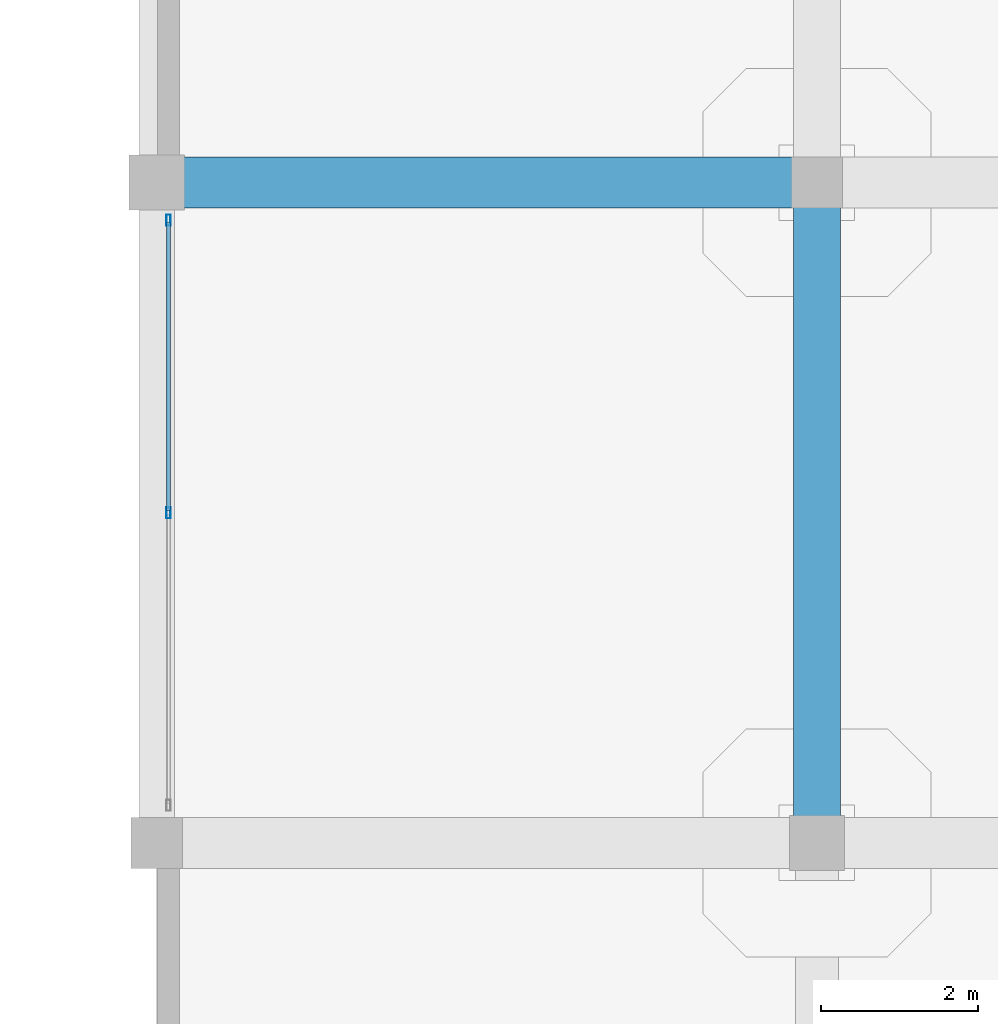
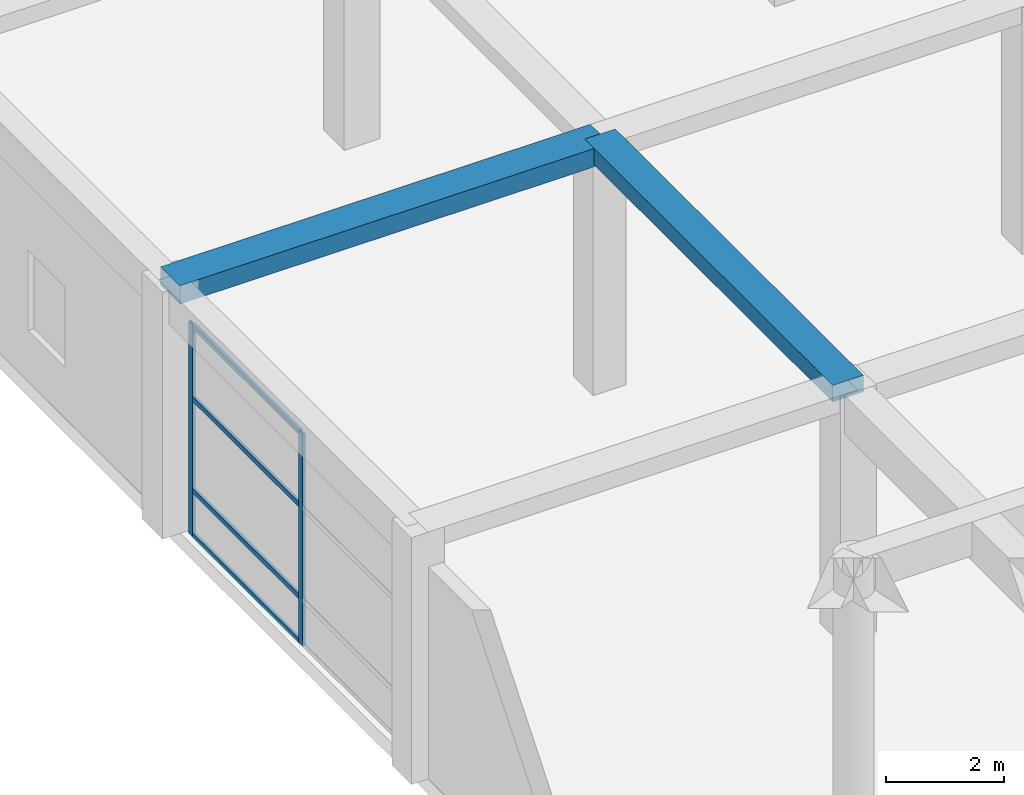
# One storey, part 5 of 65: 6 members, 2 beams, 1 element without a shape of its own.
"""IFC4 building model written with IfcOpenShell, lengths in metres."""

from ifc_helpers import new_model, si_unit, direction, frame, origin, origin_2d, place, context, subcontext, project, spatial, rectangle, hollow_rectangle, extrude, material, material_profile, profile_set, type_object, element, aggregate, save


model = new_model("IFC4")

# Units and contexts
model_context = context("Model", 3, precision=1e-05, world=origin(), true_north=direction((0.0, 1.0)))
body_context = subcontext(model_context, "Body", "Model", "MODEL_VIEW")
ifc_project = project(units=[si_unit("LENGTHUNIT", "METRE"), si_unit("AREAUNIT", "SQUARE_METRE"), si_unit("VOLUMEUNIT", "CUBIC_METRE"), si_unit("PLANEANGLEUNIT", "RADIAN"), si_unit("MASSUNIT", "GRAM", prefix="KILO")], contexts=[model_context])

# Site, building, storey
site_placement = place(None, origin())
site = spatial("IfcSite", under=ifc_project, at=site_placement, CompositionType="ELEMENT")
building_placement = place(site_placement, origin())
building = spatial("IfcBuilding", under=site, at=building_placement, Name="Almacenes y Pasaje Nevantli", CompositionType="ELEMENT")
storey_placement = place(building_placement, frame((0.0, 0.0, 16.800048828125)))
storey = spatial("IfcBuildingStorey", under=building, at=storey_placement, Name="L04", CompositionType="ELEMENT", Elevation=16.800048828125)

# Beams
ifc_material_1 = material(Name="Concrete C35/45", Category="concrete")
ifc_material_profile_1 = material_profile(ifc_material_1, rectangle(XDim=0.60009765625, YDim=0.340087890625, at=origin_2d()), Name="RC-BM-600x340")
ifc_profile_set_1 = profile_set([ifc_material_profile_1], Name="Concrete C35/45")
beam_type_1 = type_object("IfcBeamType", Name="BM-RC-600x340", PredefinedType="BEAM", material=ifc_profile_set_1)
beam_1_placement = place(storey_placement, frame((8.39990234375, 25.199951171875, 4.929931640625), z_axis=(0.0, 1.0, 0.0), x_axis=(-1.0, 0.0, 0.0)))
element("IfcBeam", 1, at=beam_1_placement, inside=storey, type_object=beam_type_1, Name="L04 North-South Reinforced Concrete Beam #3004", PredefinedType="BEAM", context=body_context, shape_type="SweptSolid", body=[
    extrude(rectangle(XDim=0.60009765625, YDim=0.340087890625, at=origin_2d()), origin(), (0.0, 0.0, 1.0), 8.400146484375),
])
ifc_material_2 = material(Name="Concrete C35/45", Category="concrete")
ifc_material_profile_2 = material_profile(ifc_material_2, rectangle(XDim=0.64990234375, YDim=0.3798828125, at=origin_2d()), Name="RC-BM-650x380")
ifc_profile_set_2 = profile_set([ifc_material_profile_2], Name="Concrete C35/45")
beam_type_2 = type_object("IfcBeamType", Name="BM-RC-650x380", PredefinedType="BEAM", material=ifc_profile_set_2)
beam_2_placement = place(storey_placement, frame((0.0, 33.60009765625, 4.909912109375), z_axis=(1.0, 0.0, 0.0), x_axis=(0.0, 1.0, 0.0)))
element("IfcBeam", 2, at=beam_2_placement, inside=storey, type_object=beam_type_2, Name="L04 East-West Reinforced Concrete Beam #2812", PredefinedType="BEAM", context=body_context, shape_type="SweptSolid", body=[
    extrude(rectangle(XDim=0.64990234375, YDim=0.3798828125, at=origin_2d()), origin(), (0.0, 0.0, 1.0), 8.39990234375),
])

# Curtain wall, members
ifc_material_3 = material(Name="Thermally Broken Aluminium and Low-E Glass", Category="aluminium")
curtain_wall_type = type_object("IfcCurtainWallType", Name="CW-UNIT-PODIUM", PredefinedType="USERDEFINED", material=ifc_material_3)
curtain_wall_placement = place(storey_placement, origin())
curtain_wall = element("IfcCurtainWall", 3, at=curtain_wall_placement, inside=storey, type_object=curtain_wall_type, Name="L04 West Avenue Unitized Curtain Wall Bay 4", ObjectType="UNITIZED CURTAIN WALL", PredefinedType="USERDEFINED")
ifc_material_4 = material(Name="Thermally Broken Anodized Aluminium", Category="aluminium")
ifc_material_profile_3 = material_profile(ifc_material_4, hollow_rectangle(XDim=0.054931640625, YDim=0.139892578125, WallThickness=0.00341796875, at=origin_2d()), Name="ALU-MUL-55x140")
ifc_profile_set_3 = profile_set([ifc_material_profile_3], Name="Thermally Broken Anodized Aluminium")
member_type_1 = type_object("IfcMemberType", Name="CW-MUL-160", PredefinedType="MULLION", material=ifc_profile_set_3)
member_1_placement = place(storey_placement, frame((0.14990234375, 29.39990234375, 0.0), z_axis=(0.0, 0.0, 1.0), x_axis=(-1.0, 0.0, 0.0)))
member_1 = element("IfcMember", 4, at=member_1_placement, type_object=member_type_1, Name="CW-L04-073 mullion 2", PredefinedType="MULLION", context=body_context, shape_type="SweptSolid", body=[
    extrude(hollow_rectangle(XDim=0.054931640625, YDim=0.139892578125, WallThickness=0.00341796875, at=origin_2d()), origin(), (0.0, 0.0, 1.0), 4.3798828125),
])
member_2_placement = place(storey_placement, frame((0.14990234375, 33.12255859375, 0.0), z_axis=(0.0, 0.0, 1.0), x_axis=(-1.0, 0.0, 0.0)))
member_2 = element("IfcMember", 5, at=member_2_placement, type_object=member_type_1, Name="CW-L04-073 mullion 3", PredefinedType="MULLION", context=body_context, shape_type="SweptSolid", body=[
    extrude(hollow_rectangle(XDim=0.054931640625, YDim=0.139892578125, WallThickness=0.00341796875, at=origin_2d()), origin(), (0.0, 0.0, 1.0), 4.3798828125),
])
ifc_material_5 = material(Name="Thermally Broken Anodized Aluminium", Category="aluminium")
ifc_material_profile_4 = material_profile(ifc_material_5, hollow_rectangle(XDim=0.054931640625, YDim=0.10498046875, WallThickness=0.003173828125, at=origin_2d()), Name="ALU-TRN-55x105")
ifc_profile_set_4 = profile_set([ifc_material_profile_4], Name="Thermally Broken Anodized Aluminium")
member_type_2 = type_object("IfcMemberType", Name="CW-TRN-120", PredefinedType="USERDEFINED", material=ifc_profile_set_4)
member_3_placement = place(storey_placement, frame((0.14990234375, 29.427490234375, 0.02734375), z_axis=(0.0, 1.0, 0.0), x_axis=(-1.0, 0.0, 0.0)))
member_3 = element("IfcMember", 6, at=member_3_placement, type_object=member_type_2, Name="CW-L04-073 transom 2.1", ObjectType="TRANSOM", PredefinedType="USERDEFINED", context=body_context, shape_type="SweptSolid", body=[
    extrude(hollow_rectangle(XDim=0.054931640625, YDim=0.10498046875, WallThickness=0.003173828125, at=origin_2d()), origin(), (0.0, 0.0, 1.0), 3.66748046875),
])
member_4_placement = place(storey_placement, frame((0.14990234375, 29.427490234375, 0.949951171875), z_axis=(0.0, 1.0, 0.0), x_axis=(-1.0, 0.0, 0.0)))
member_4 = element("IfcMember", 7, at=member_4_placement, type_object=member_type_2, Name="CW-L04-073 transom 2.2", ObjectType="TRANSOM", PredefinedType="USERDEFINED", context=body_context, shape_type="SweptSolid", body=[
    extrude(hollow_rectangle(XDim=0.054931640625, YDim=0.10498046875, WallThickness=0.003173828125, at=origin_2d()), origin(), (0.0, 0.0, 1.0), 3.66748046875),
])
member_5_placement = place(storey_placement, frame((0.14990234375, 29.427490234375, 2.849853515625), z_axis=(0.0, 1.0, 0.0), x_axis=(-1.0, 0.0, 0.0)))
member_5 = element("IfcMember", 8, at=member_5_placement, type_object=member_type_2, Name="CW-L04-073 transom 2.3", ObjectType="TRANSOM", PredefinedType="USERDEFINED", context=body_context, shape_type="SweptSolid", body=[
    extrude(hollow_rectangle(XDim=0.054931640625, YDim=0.10498046875, WallThickness=0.003173828125, at=origin_2d()), origin(), (0.0, 0.0, 1.0), 3.66748046875),
])
member_6_placement = place(storey_placement, frame((0.14990234375, 29.427490234375, 4.3525390625), z_axis=(0.0, 1.0, 0.0), x_axis=(-1.0, 0.0, 0.0)))
member_6 = element("IfcMember", 9, at=member_6_placement, type_object=member_type_2, Name="CW-L04-073 transom 2.4", ObjectType="TRANSOM", PredefinedType="USERDEFINED", context=body_context, shape_type="SweptSolid", body=[
    extrude(hollow_rectangle(XDim=0.054931640625, YDim=0.10498046875, WallThickness=0.003173828125, at=origin_2d()), origin(), (0.0, 0.0, 1.0), 3.66748046875),
])
aggregate(curtain_wall, [member_1, member_2, member_3, member_4, member_5, member_6])

save(model, "model.ifc")
